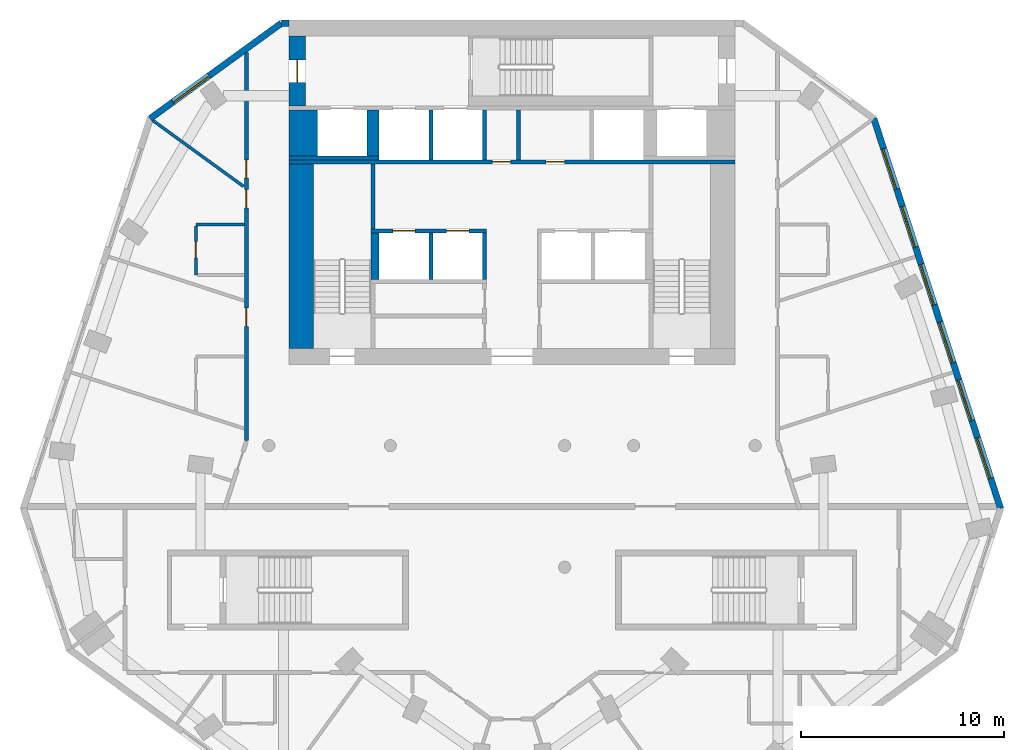
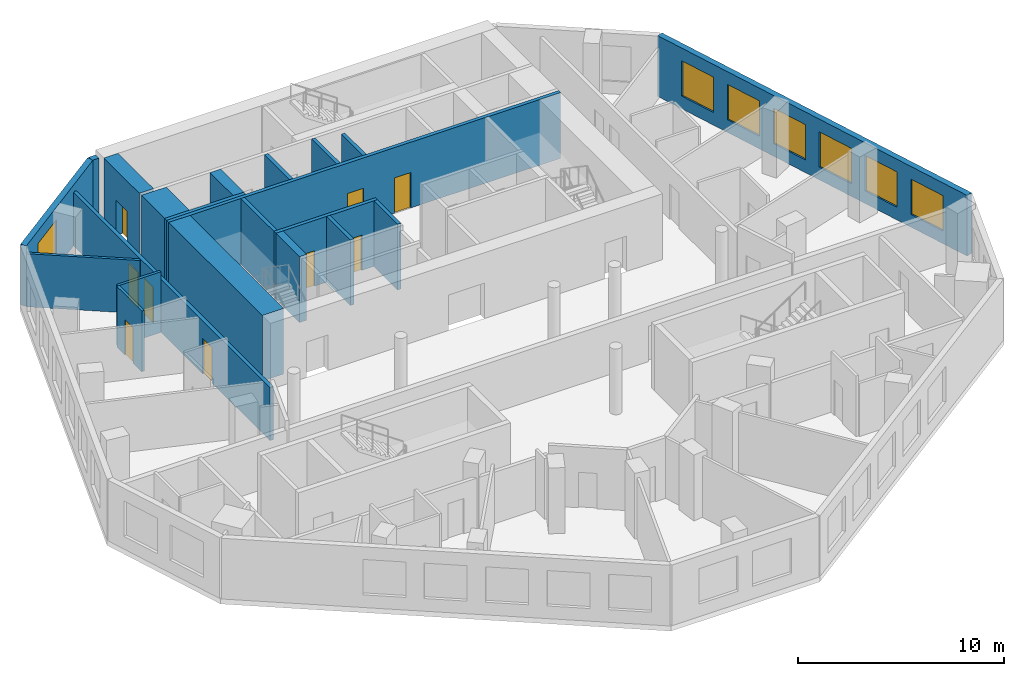
# One storey, part 5 of 9: 21 walls, 9 doors, 7 windows, 16 openings.
"""IFC4 building model written with IfcOpenShell, lengths in metres."""

from ifc_helpers import new_model, si_unit, direction, frame, frame_2d, origin, place, context, subcontext, project, spatial, rectangle, extrude, material, layer, layer_set, type_object, element, fill, save


model = new_model("IFC4")

# Units and contexts
model_context = context("Model", 3, precision=1e-05, world=origin(), true_north=direction((0.0, 1.0)))
body_context = subcontext(model_context, "Body", "Model", "MODEL_VIEW")
ifc_project = project(units=[si_unit("LENGTHUNIT", "METRE"), si_unit("AREAUNIT", "SQUARE_METRE"), si_unit("VOLUMEUNIT", "CUBIC_METRE"), si_unit("PLANEANGLEUNIT", "RADIAN"), si_unit("MASSUNIT", "GRAM", prefix="KILO")], contexts=[model_context])

# Site, building, storey
site_placement = place(None, origin())
site = spatial("IfcSite", under=ifc_project, at=site_placement, CompositionType="ELEMENT")
building_placement = place(site_placement, origin())
building = spatial("IfcBuilding", under=site, at=building_placement, Name="White Candle Pilgrim Tower", CompositionType="ELEMENT")
storey_placement = place(building_placement, frame((0.0, 0.0, 235.5)))
storey = spatial("IfcBuildingStorey", under=building, at=storey_placement, Name="L55", CompositionType="ELEMENT", Elevation=235.5)

# Walls
ifc_material_1 = material(Name="Concrete C50/60", Category="concrete")
ifc_layer_1 = layer(ifc_material_1, 1.39990234375)
ifc_layer_set_1 = layer_set([ifc_layer_1], Name="Core wall 1400 mm Concrete C50/60")
wall_type_1 = type_object("IfcWallType", Name="Core wall 1400 mm Concrete C50/60", PredefinedType="SHEAR", material=ifc_layer_set_1)
wall_1_placement = place(storey_placement, frame((59.699951171875, 81.300048828125, 0.0), z_axis=(0.0, 0.0, 1.0), x_axis=(0.0, 1.0, 0.0)))
element("IfcWall", 1, at=wall_1_placement, inside=storey, type_object=wall_type_1, Name="WL-L55-C40", PredefinedType="SHEAR", context=body_context, shape_type="SweptSolid", body=[
    extrude(rectangle(XDim=2.25, YDim=1.39990234375, at=frame_2d((1.125, 0.0))), origin(), (0.0, 0.0, 1.0), 3.89990234375),
])
ifc_layer_2 = layer(ifc_material_1, 0.199951171875)
ifc_layer_set_2 = layer_set([ifc_layer_2], Name="Core wall 200 mm Concrete C50/60")
wall_type_2 = type_object("IfcWallType", Name="Core wall 200 mm Concrete C50/60", PredefinedType="SHEAR", material=ifc_layer_set_2)
wall_2_placement = place(storey_placement, frame((59.0, 81.199951171875, 0.0), z_axis=(0.0, 0.0, 1.0), x_axis=(1.0, 0.0, 0.0)))
element("IfcWall", 2, at=wall_2_placement, inside=storey, type_object=wall_type_2, Name="WL-L55-C34", PredefinedType="SHEAR", context=body_context, shape_type="SweptSolid", body=[
    extrude(rectangle(XDim=4.449951171875, YDim=0.199951171875, at=frame_2d((2.22509765625, 0.0))), origin(), (0.0, 0.0, 1.0), 3.89990234375),
])

# Wall, opening, door
ifc_layer_3 = layer(ifc_material_1, 0.800048828125)
ifc_layer_set_3 = layer_set([ifc_layer_3], Name="Core wall 800 mm Concrete C50/60")
wall_type_3 = type_object("IfcWallType", Name="Core wall 800 mm Concrete C50/60", PredefinedType="SHEAR", material=ifc_layer_set_3)
wall_3_placement = place(storey_placement, frame((59.39990234375, 83.75, 0.0), z_axis=(0.0, 0.0, 1.0), x_axis=(0.0, 1.0, 0.0)))
wall_3 = element("IfcWall", 3, at=wall_3_placement, inside=storey, type_object=wall_type_3, Name="WL-L55-C45", PredefinedType="SHEAR", context=body_context, shape_type="SweptSolid", body=[
    extrude(rectangle(XDim=3.449951171875, YDim=0.800048828125, at=frame_2d((1.72509765625, 0.0))), origin(), (0.0, 0.0, 1.0), 3.89990234375),
])
opening_1_placement = place(wall_3_placement, frame((1.175048828125, 0.0, 0.0)))
opening_1 = element("IfcOpeningElement", 4, at=opening_1_placement, cuts=wall_3, Name="Opening T17-008", PredefinedType="OPENING", context=body_context, shape_type="SweptSolid", body=[
    extrude(rectangle(XDim=1.10009765625, YDim=2.10009765625, at=frame_2d((0.550048828125, 1.050048828125))), frame((0.0, 0.409912109375, 0.0), z_axis=(0.0, -1.0, 0.0), x_axis=(1.0, 0.0, 0.0)), (0.0, 0.0, 1.0), 0.820068359375),
])
ifc_material_2 = material(Name="Steel door leaf", Category="steel")
door_type_1 = type_object("IfcDoorType", Name="Fire door 1100 x 2100 EI 60", OperationType="NOTDEFINED", PredefinedType="DOOR", material=ifc_material_2)
door_1_placement = place(opening_1_placement, origin())
door_1 = element("IfcDoor", 5, at=door_1_placement, inside=storey, type_object=door_type_1, Name="Door T17-008", OperationType="SINGLE_SWING_RIGHT", OverallHeight=2.10009765625, OverallWidth=1.10009765625, PredefinedType="DOOR", context=body_context, shape_type="SweptSolid", body=[
    extrude(rectangle(XDim=1.10009765625, YDim=2.10009765625, at=frame_2d((0.550048828125, 1.050048828125))), frame((0.0, 0.02490234375, 0.0), z_axis=(0.0, -1.0, 0.0), x_axis=(1.0, 0.0, 0.0)), (0.0, 0.0, 1.0), 0.050048828125),
])
fill(opening_1, door_1)

# Wall, openings, doors
ifc_material_3 = material(Name="Gypsum board on steel studs", Category="steel")
ifc_layer_4 = layer(ifc_material_3, 0.199951171875)
ifc_layer_set_4 = layer_set([ifc_layer_4], Name="Corridor wall 200 mm EI 45")
wall_type_4 = type_object("IfcWallType", Name="Corridor wall 200 mm EI 45", PredefinedType="PARTITIONING", material=ifc_layer_set_4)
wall_4_placement = place(storey_placement, frame((56.89990234375, 67.241943359375, 0.0), z_axis=(0.0, 0.0, 1.0), x_axis=(0.0, 1.0, 0.0)))
wall_4 = element("IfcWall", 6, at=wall_4_placement, inside=storey, type_object=wall_type_4, Name="WL-L55-P003", PredefinedType="PARTITIONING", context=body_context, shape_type="SweptSolid", body=[
    extrude(rectangle(XDim=19.154296875, YDim=0.199951171875, at=frame_2d((9.5771484375, 0.0))), origin(), (0.0, 0.0, 1.0), 3.14990234375),
])
opening_2_placement = place(wall_4_placement, frame((5.646484375, 0.0, 0.0)))
opening_2 = element("IfcOpeningElement", 7, at=opening_2_placement, cuts=wall_4, Name="Opening T17-120", PredefinedType="OPENING", context=body_context, shape_type="SweptSolid", body=[
    extrude(rectangle(XDim=0.89990234375, YDim=2.10009765625, at=frame_2d((0.449951171875, 1.050048828125))), frame((0.0, 0.10986328125, 0.0), z_axis=(0.0, -1.0, 0.0), x_axis=(1.0, 0.0, 0.0)), (0.0, 0.0, 1.0), 0.219970703125),
])
opening_3_placement = place(wall_4_placement, frame((11.483642578125, 0.0, 0.0)))
opening_3 = element("IfcOpeningElement", 8, at=opening_3_placement, cuts=wall_4, Name="Opening T17-121", PredefinedType="OPENING", context=body_context, shape_type="SweptSolid", body=[
    extrude(rectangle(XDim=0.89990234375, YDim=2.10009765625, at=frame_2d((0.449951171875, 1.050048828125))), frame((0.0, 0.10986328125, 0.0), z_axis=(0.0, -1.0, 0.0), x_axis=(1.0, 0.0, 0.0)), (0.0, 0.0, 1.0), 0.219970703125),
])
opening_4_placement = place(wall_4_placement, frame((12.9580078125, 0.0, 0.0)))
opening_4 = element("IfcOpeningElement", 9, at=opening_4_placement, cuts=wall_4, Name="Opening T17-122", PredefinedType="OPENING", context=body_context, shape_type="SweptSolid", body=[
    extrude(rectangle(XDim=0.89990234375, YDim=2.10009765625, at=frame_2d((0.449951171875, 1.050048828125))), frame((0.0, 0.10986328125, 0.0), z_axis=(0.0, -1.0, 0.0), x_axis=(1.0, 0.0, 0.0)), (0.0, 0.0, 1.0), 0.219970703125),
])
door_type_2 = type_object("IfcDoorType", Name="Fire door 900 x 2100 EI 30", OperationType="NOTDEFINED", PredefinedType="DOOR", material=ifc_material_2)
door_2_placement = place(opening_2_placement, origin())
door_2 = element("IfcDoor", 10, at=door_2_placement, inside=storey, type_object=door_type_2, Name="Door T17-120", OperationType="SINGLE_SWING_RIGHT", OverallHeight=2.10009765625, OverallWidth=0.89990234375, PredefinedType="DOOR", context=body_context, shape_type="SweptSolid", body=[
    extrude(rectangle(XDim=0.89990234375, YDim=2.10009765625, at=frame_2d((0.449951171875, 1.050048828125))), frame((0.0, 0.02490234375, 0.0), z_axis=(0.0, -1.0, 0.0), x_axis=(1.0, 0.0, 0.0)), (0.0, 0.0, 1.0), 0.050048828125),
])
fill(opening_2, door_2)
door_3_placement = place(opening_3_placement, origin())
door_3 = element("IfcDoor", 11, at=door_3_placement, inside=storey, type_object=door_type_2, Name="Door T17-121", OperationType="SINGLE_SWING_LEFT", OverallHeight=2.10009765625, OverallWidth=0.89990234375, PredefinedType="DOOR", context=body_context, shape_type="SweptSolid", body=[
    extrude(rectangle(XDim=0.89990234375, YDim=2.10009765625, at=frame_2d((0.449951171875, 1.050048828125))), frame((0.0, 0.02490234375, 0.0), z_axis=(0.0, -1.0, 0.0), x_axis=(1.0, 0.0, 0.0)), (0.0, 0.0, 1.0), 0.050048828125),
])
fill(opening_3, door_3)
door_4_placement = place(opening_4_placement, origin())
door_4 = element("IfcDoor", 12, at=door_4_placement, inside=storey, type_object=door_type_2, Name="Door T17-122", OperationType="SINGLE_SWING_RIGHT", OverallHeight=2.10009765625, OverallWidth=0.89990234375, PredefinedType="DOOR", context=body_context, shape_type="SweptSolid", body=[
    extrude(rectangle(XDim=0.89990234375, YDim=2.10009765625, at=frame_2d((0.449951171875, 1.050048828125))), frame((0.0, 0.02490234375, 0.0), z_axis=(0.0, -1.0, 0.0), x_axis=(1.0, 0.0, 0.0)), (0.0, 0.0, 1.0), 0.050048828125),
])
fill(opening_4, door_4)

# Wall, openings, windows
ifc_material_4 = material(Name="Precast concrete C40/50", Category="concrete")
ifc_layer_5 = layer(ifc_material_4, 0.320068359375)
ifc_layer_set_5 = layer_set([ifc_layer_5], Name="Facade wall EW1 precast concrete C40/50 pier wall with timber-lined reveals")
wall_type_5 = type_object("IfcWallType", Name="Facade wall EW1 precast concrete C40/50 pier wall with timber-lined reveals", PredefinedType="SOLIDWALL", material=ifc_layer_set_5)
wall_5_placement = place(storey_placement, frame((94.1064453125, 63.900390625, 0.0), z_axis=(0.0, 0.0, 1.0), x_axis=(-0.309017027312, 0.951056505593, 0.0)))
wall_5 = element("IfcWall", 13, at=wall_5_placement, inside=storey, type_object=wall_type_5, Name="Facade wall L55 ENE", PredefinedType="SOLIDWALL", context=body_context, shape_type="SweptSolid", body=[
    extrude(rectangle(XDim=20.228515625, YDim=0.320068359375, at=frame_2d((10.1142578125, 0.0))), origin(), (0.0, 0.0, 1.0), 3.60009765625),
])
opening_5_placement = place(wall_5_placement, frame((1.564453125, 0.0, 0.75)))
opening_5 = element("IfcOpeningElement", 14, at=opening_5_placement, cuts=wall_5, Name="Opening W3", PredefinedType="OPENING", context=body_context, shape_type="SweptSolid", body=[
    extrude(rectangle(XDim=2.10009765625, YDim=2.10009765625, at=frame_2d((1.050048828125, 1.050048828125))), frame((0.0, 0.169921875, 0.0), z_axis=(0.0, -1.0, 0.0), x_axis=(1.0, 0.0, 0.0)), (0.0, 0.0, 1.0), 0.340087890625),
])
opening_6_placement = place(wall_5_placement, frame((4.564453125, 0.0, 0.75)))
opening_6 = element("IfcOpeningElement", 15, at=opening_6_placement, cuts=wall_5, Name="Opening W3", PredefinedType="OPENING", context=body_context, shape_type="SweptSolid", body=[
    extrude(rectangle(XDim=2.10009765625, YDim=2.10009765625, at=frame_2d((1.050048828125, 1.050048828125))), frame((0.0, 0.169921875, 0.0), z_axis=(0.0, -1.0, 0.0), x_axis=(1.0, 0.0, 0.0)), (0.0, 0.0, 1.0), 0.340087890625),
])
opening_7_placement = place(wall_5_placement, frame((7.564453125, 0.0, 0.75)))
opening_7 = element("IfcOpeningElement", 16, at=opening_7_placement, cuts=wall_5, Name="Opening W3", PredefinedType="OPENING", context=body_context, shape_type="SweptSolid", body=[
    extrude(rectangle(XDim=2.10009765625, YDim=2.10009765625, at=frame_2d((1.050048828125, 1.050048828125))), frame((0.0, 0.169921875, 0.0), z_axis=(0.0, -1.0, 0.0), x_axis=(1.0, 0.0, 0.0)), (0.0, 0.0, 1.0), 0.340087890625),
])
opening_8_placement = place(wall_5_placement, frame((10.564453125, 0.0, 0.75)))
opening_8 = element("IfcOpeningElement", 17, at=opening_8_placement, cuts=wall_5, Name="Opening W3", PredefinedType="OPENING", context=body_context, shape_type="SweptSolid", body=[
    extrude(rectangle(XDim=2.10009765625, YDim=2.10009765625, at=frame_2d((1.050048828125, 1.050048828125))), frame((0.0, 0.169921875, 0.0), z_axis=(0.0, -1.0, 0.0), x_axis=(1.0, 0.0, 0.0)), (0.0, 0.0, 1.0), 0.340087890625),
])
opening_9_placement = place(wall_5_placement, frame((13.564453125, 0.0, 0.75)))
opening_9 = element("IfcOpeningElement", 18, at=opening_9_placement, cuts=wall_5, Name="Opening W3", PredefinedType="OPENING", context=body_context, shape_type="SweptSolid", body=[
    extrude(rectangle(XDim=2.10009765625, YDim=2.10009765625, at=frame_2d((1.050048828125, 1.050048828125))), frame((0.0, 0.169921875, 0.0), z_axis=(0.0, -1.0, 0.0), x_axis=(1.0, 0.0, 0.0)), (0.0, 0.0, 1.0), 0.340087890625),
])
opening_10_placement = place(wall_5_placement, frame((16.564453125, 0.0, 0.75)))
opening_10 = element("IfcOpeningElement", 19, at=opening_10_placement, cuts=wall_5, Name="Opening W3", PredefinedType="OPENING", context=body_context, shape_type="SweptSolid", body=[
    extrude(rectangle(XDim=2.10009765625, YDim=2.10009765625, at=frame_2d((1.050048828125, 1.050048828125))), frame((0.0, 0.169921875, 0.0), z_axis=(0.0, -1.0, 0.0), x_axis=(1.0, 0.0, 0.0)), (0.0, 0.0, 1.0), 0.340087890625),
])
ifc_material_5 = material(Name="Timber frame with triple glazing", Category="wood")
window_type_1 = type_object("IfcWindowType", Name="Window W3 2100x2100 timber frame triple glazing", PartitioningType="SINGLE_PANEL", PredefinedType="WINDOW", material=ifc_material_5)
window_1_placement = place(opening_5_placement, origin())
window_1 = element("IfcWindow", 20, at=window_1_placement, inside=storey, type_object=window_type_1, Name="Window W3 L55 ENE 1", OverallHeight=2.10009765625, OverallWidth=2.10009765625, PartitioningType="SINGLE_PANEL", PredefinedType="WINDOW", context=body_context, shape_type="SweptSolid", body=[
    extrude(rectangle(XDim=2.10009765625, YDim=2.10009765625, at=frame_2d((1.050048828125, 1.050048828125))), frame((0.0, 0.070068359375, 0.0), z_axis=(0.0, -1.0, 0.0), x_axis=(1.0, 0.0, 0.0)), (0.0, 0.0, 1.0), 0.06005859375),
])
fill(opening_5, window_1)
window_2_placement = place(opening_6_placement, origin())
window_2 = element("IfcWindow", 21, at=window_2_placement, inside=storey, type_object=window_type_1, Name="Window W3 L55 ENE 2", OverallHeight=2.10009765625, OverallWidth=2.10009765625, PartitioningType="SINGLE_PANEL", PredefinedType="WINDOW", context=body_context, shape_type="SweptSolid", body=[
    extrude(rectangle(XDim=2.10009765625, YDim=2.10009765625, at=frame_2d((1.050048828125, 1.050048828125))), frame((0.0, 0.070068359375, 0.0), z_axis=(0.0, -1.0, 0.0), x_axis=(1.0, 0.0, 0.0)), (0.0, 0.0, 1.0), 0.06005859375),
])
fill(opening_6, window_2)
window_3_placement = place(opening_7_placement, origin())
window_3 = element("IfcWindow", 22, at=window_3_placement, inside=storey, type_object=window_type_1, Name="Window W3 L55 ENE 3", OverallHeight=2.10009765625, OverallWidth=2.10009765625, PartitioningType="SINGLE_PANEL", PredefinedType="WINDOW", context=body_context, shape_type="SweptSolid", body=[
    extrude(rectangle(XDim=2.10009765625, YDim=2.10009765625, at=frame_2d((1.050048828125, 1.050048828125))), frame((0.0, 0.070068359375, 0.0), z_axis=(0.0, -1.0, 0.0), x_axis=(1.0, 0.0, 0.0)), (0.0, 0.0, 1.0), 0.06005859375),
])
fill(opening_7, window_3)
window_4_placement = place(opening_8_placement, origin())
window_4 = element("IfcWindow", 23, at=window_4_placement, inside=storey, type_object=window_type_1, Name="Window W3 L55 ENE 4", OverallHeight=2.10009765625, OverallWidth=2.10009765625, PartitioningType="SINGLE_PANEL", PredefinedType="WINDOW", context=body_context, shape_type="SweptSolid", body=[
    extrude(rectangle(XDim=2.10009765625, YDim=2.10009765625, at=frame_2d((1.050048828125, 1.050048828125))), frame((0.0, 0.070068359375, 0.0), z_axis=(0.0, -1.0, 0.0), x_axis=(1.0, 0.0, 0.0)), (0.0, 0.0, 1.0), 0.06005859375),
])
fill(opening_8, window_4)
window_5_placement = place(opening_9_placement, origin())
window_5 = element("IfcWindow", 24, at=window_5_placement, inside=storey, type_object=window_type_1, Name="Window W3 L55 ENE 5", OverallHeight=2.10009765625, OverallWidth=2.10009765625, PartitioningType="SINGLE_PANEL", PredefinedType="WINDOW", context=body_context, shape_type="SweptSolid", body=[
    extrude(rectangle(XDim=2.10009765625, YDim=2.10009765625, at=frame_2d((1.050048828125, 1.050048828125))), frame((0.0, 0.070068359375, 0.0), z_axis=(0.0, -1.0, 0.0), x_axis=(1.0, 0.0, 0.0)), (0.0, 0.0, 1.0), 0.06005859375),
])
fill(opening_9, window_5)
window_6_placement = place(opening_10_placement, origin())
window_6 = element("IfcWindow", 25, at=window_6_placement, inside=storey, type_object=window_type_1, Name="Window W3 L55 ENE 6", OverallHeight=2.10009765625, OverallWidth=2.10009765625, PartitioningType="SINGLE_PANEL", PredefinedType="WINDOW", context=body_context, shape_type="SweptSolid", body=[
    extrude(rectangle(XDim=2.10009765625, YDim=2.10009765625, at=frame_2d((1.050048828125, 1.050048828125))), frame((0.0, 0.070068359375, 0.0), z_axis=(0.0, -1.0, 0.0), x_axis=(1.0, 0.0, 0.0)), (0.0, 0.0, 1.0), 0.06005859375),
])
fill(opening_10, window_6)

# Wall
wall_6_placement = place(storey_placement, frame((59.0, 87.840087890625, 0.0), z_axis=(0.0, 0.0, 1.0), x_axis=(-1.0, 0.0, 0.0)))
element("IfcWall", 26, at=wall_6_placement, inside=storey, type_object=wall_type_5, Name="Facade wall L55 N", PredefinedType="SOLIDWALL", context=body_context, shape_type="SweptSolid", body=[
    extrude(rectangle(XDim=0.385009765625, YDim=0.320068359375, at=frame_2d((0.1923828125, 0.0))), origin(), (0.0, 0.0, 1.0), 3.60009765625),
])

# Wall, opening, window
wall_7_placement = place(storey_placement, frame((58.614990234375, 87.840087890625, 0.0), z_axis=(0.0, 0.0, 1.0), x_axis=(-0.809010558388, -0.587794110566, 0.0)))
wall_7 = element("IfcWall", 27, at=wall_7_placement, inside=storey, type_object=wall_type_5, Name="Facade wall L55 NW chamfer", PredefinedType="SOLIDWALL", context=body_context, shape_type="SweptSolid", body=[
    extrude(rectangle(XDim=7.998046875, YDim=0.320068359375, at=frame_2d((3.9990234375, 0.0))), origin(), (0.0, 0.0, 1.0), 3.60009765625),
])
opening_11_placement = place(wall_7_placement, frame((4.39892578125, 0.0, 0.75)))
opening_11 = element("IfcOpeningElement", 28, at=opening_11_placement, cuts=wall_7, Name="Opening W4", PredefinedType="OPENING", context=body_context, shape_type="SweptSolid", body=[
    extrude(rectangle(XDim=2.199951171875, YDim=2.10009765625, at=frame_2d((1.10009765625, 1.050048828125))), frame((0.0, 0.169921875, 0.0), z_axis=(0.0, -1.0, 0.0), x_axis=(1.0, 0.0, 0.0)), (0.0, 0.0, 1.0), 0.340087890625),
])
window_type_2 = type_object("IfcWindowType", Name="Window W4 2200x2100 timber frame triple glazing", PartitioningType="SINGLE_PANEL", PredefinedType="WINDOW", material=ifc_material_5)
window_7_placement = place(opening_11_placement, origin())
window_7 = element("IfcWindow", 29, at=window_7_placement, inside=storey, type_object=window_type_2, Name="Window W4 L55 NW chamfer 2", OverallHeight=2.10009765625, OverallWidth=2.199951171875, PartitioningType="SINGLE_PANEL", PredefinedType="WINDOW", context=body_context, shape_type="SweptSolid", body=[
    extrude(rectangle(XDim=2.199951171875, YDim=2.10009765625, at=frame_2d((1.10009765625, 1.050048828125))), frame((0.0, 0.070068359375, 0.0), z_axis=(0.0, -1.0, 0.0), x_axis=(1.0, 0.0, 0.0)), (0.0, 0.0, 1.0), 0.06005859375),
])
fill(opening_11, window_7)

# Walls
ifc_layer_6 = layer(ifc_material_3, 0.199951171875)
ifc_layer_set_6 = layer_set([ifc_layer_6], Name="Lobby wall 200 mm EI 60")
wall_type_6 = type_object("IfcWallType", Name="Lobby wall 200 mm EI 60", PredefinedType="PARTITIONING", material=ifc_layer_set_6)
wall_8_placement = place(storey_placement, frame((70.320068359375, 81.10009765625, 0.0), z_axis=(0.0, 0.0, 1.0), x_axis=(0.0, 1.0, 0.0)))
element("IfcWall", 30, at=wall_8_placement, inside=storey, type_object=wall_type_6, Name="WL-L55-C37", PredefinedType="PARTITIONING", context=body_context, shape_type="SweptSolid", body=[
    extrude(rectangle(XDim=2.449951171875, YDim=0.199951171875, at=frame_2d((1.22509765625, 0.0))), origin(), (0.0, 0.0, 1.0), 3.60009765625),
])
ifc_layer_7 = layer(ifc_material_3, 0.14990234375)
ifc_layer_set_7 = layer_set([ifc_layer_7], Name="Partition 150 mm EI 60")
wall_type_7 = type_object("IfcWallType", Name="Partition 150 mm EI 60", PredefinedType="PARTITIONING", material=ifc_layer_set_7)
wall_9_placement = place(storey_placement, frame((52.28076171875, 83.0400390625, 0.0), z_axis=(0.0, 0.0, 1.0), x_axis=(0.809028003405, -0.587770099364, 0.0)))
element("IfcWall", 31, at=wall_9_placement, inside=storey, type_object=wall_type_7, Name="WL-L55-P013", PredefinedType="PARTITIONING", context=body_context, shape_type="SweptSolid", body=[
    extrude(rectangle(XDim=5.531494140625, YDim=0.14990234375, at=frame_2d((2.765625, 0.0))), origin(), (0.0, 0.0, 1.0), 3.14990234375),
])
wall_10_placement = place(storey_placement, frame((56.800048828125, 77.913330078125, 0.0), z_axis=(0.0, 0.0, 1.0), x_axis=(-1.0, 0.0, 0.0)))
element("IfcWall", 32, at=wall_10_placement, inside=storey, type_object=wall_type_7, Name="WL-L55-P021", PredefinedType="PARTITIONING", context=body_context, shape_type="SweptSolid", body=[
    extrude(rectangle(XDim=2.400146484375, YDim=0.14990234375, at=frame_2d((1.2001953125, 0.0))), origin(), (0.0, 0.0, 1.0), 3.60009765625),
])

# Wall, opening, door
wall_11_placement = place(storey_placement, frame((54.39990234375, 75.413330078125, 0.0), z_axis=(0.0, 0.0, 1.0), x_axis=(0.0, 1.0, 0.0)))
wall_11 = element("IfcWall", 33, at=wall_11_placement, inside=storey, type_object=wall_type_7, Name="WL-L55-P022", PredefinedType="PARTITIONING", context=body_context, shape_type="SweptSolid", body=[
    extrude(rectangle(XDim=2.425048828125, YDim=0.14990234375, at=frame_2d((1.21240234375, 0.0))), origin(), (0.0, 0.0, 1.0), 3.60009765625),
])
opening_12_placement = place(wall_11_placement, frame((0.85009765625, 0.0, 0.0)))
opening_12 = element("IfcOpeningElement", 34, at=opening_12_placement, cuts=wall_11, Name="Opening T17-101", PredefinedType="OPENING", context=body_context, shape_type="SweptSolid", body=[
    extrude(rectangle(XDim=0.800048828125, YDim=2.10009765625, at=frame_2d((0.39990234375, 1.050048828125))), frame((0.0, 0.0849609375, 0.0), z_axis=(0.0, -1.0, 0.0), x_axis=(1.0, 0.0, 0.0)), (0.0, 0.0, 1.0), 0.169921875),
])
door_type_3 = type_object("IfcDoorType", Name="Fire door 800 x 2100 EI 30", OperationType="NOTDEFINED", PredefinedType="DOOR", material=ifc_material_2)
door_5_placement = place(opening_12_placement, origin())
door_5 = element("IfcDoor", 35, at=door_5_placement, inside=storey, type_object=door_type_3, Name="Door T17-101", OperationType="SINGLE_SWING_LEFT", OverallHeight=2.10009765625, OverallWidth=0.800048828125, PredefinedType="DOOR", context=body_context, shape_type="SweptSolid", body=[
    extrude(rectangle(XDim=0.800048828125, YDim=2.10009765625, at=frame_2d((0.39990234375, 1.050048828125))), frame((0.0, 0.02490234375, 0.0), z_axis=(0.0, -1.0, 0.0), x_axis=(1.0, 0.0, 0.0)), (0.0, 0.0, 1.0), 0.050048828125),
])
fill(opening_12, door_5)

# Walls
ifc_layer_8 = layer(ifc_material_1, 0.199951171875)
ifc_layer_set_8 = layer_set([ifc_layer_8], Name="Shaft wall 200 mm Concrete C50/60")
wall_type_8 = type_object("IfcWallType", Name="Shaft wall 200 mm Concrete C50/60", PredefinedType="SHEAR", material=ifc_layer_set_8)
for number, where, z_axis, x_axis, name in (
    (36, (66.0, 75.199951171875, 0.0), (0.0, 0.0, 1.0), (0.0, 1.0, 0.0), "WL-L55-C24"),
    (37, (68.64990234375, 75.199951171875, 0.0), (0.0, 0.0, 1.0), (0.0, 1.0, 0.0), "WL-L55-C25"),
):
    element("IfcWall", number, at=place(storey_placement, frame(where, z_axis=z_axis, x_axis=x_axis)), inside=storey, type_object=wall_type_8, Name=name, PredefinedType="SHEAR", context=body_context, shape_type="SweptSolid", body=[
        extrude(rectangle(XDim=2.300048828125, YDim=0.199951171875, at=frame_2d((1.14990234375, 0.0))), origin(), (0.0, 0.0, 1.0), 3.89990234375),
    ])
for number, where, z_axis, x_axis, name in (
    (38, (66.0, 81.10009765625, 0.0), (0.0, 0.0, 1.0), (0.0, 1.0, 0.0), "WL-L55-C35"),
    (39, (68.64990234375, 81.10009765625, 0.0), (0.0, 0.0, 1.0), (0.0, 1.0, 0.0), "WL-L55-C36"),
):
    element("IfcWall", number, at=place(storey_placement, frame(where, z_axis=z_axis, x_axis=x_axis)), inside=storey, type_object=wall_type_8, Name=name, PredefinedType="SHEAR", context=body_context, shape_type="SweptSolid", body=[
        extrude(rectangle(XDim=2.449951171875, YDim=0.199951171875, at=frame_2d((1.22509765625, 0.0))), origin(), (0.0, 0.0, 1.0), 3.89990234375),
    ])
ifc_layer_9 = layer(ifc_material_1, 0.60009765625)
ifc_layer_set_9 = layer_set([ifc_layer_9], Name="Shaft wall 600 mm Concrete C50/60")
wall_type_9 = type_object("IfcWallType", Name="Shaft wall 600 mm Concrete C50/60", PredefinedType="SHEAR", material=ifc_layer_set_9)
wall_12_placement = place(storey_placement, frame((63.14990234375, 81.300048828125, 0.0), z_axis=(0.0, 0.0, 1.0), x_axis=(0.0, 1.0, 0.0)))
element("IfcWall", 40, at=wall_12_placement, inside=storey, type_object=wall_type_9, Name="WL-L55-C41", PredefinedType="SHEAR", context=body_context, shape_type="SweptSolid", body=[
    extrude(rectangle(XDim=2.25, YDim=0.60009765625, at=frame_2d((1.125, 0.0))), origin(), (0.0, 0.0, 1.0), 3.89990234375),
])
ifc_layer_10 = layer(ifc_material_1, 1.199951171875)
ifc_layer_set_10 = layer_set([ifc_layer_10], Name="Stair shaft wall 1200 mm Concrete C50/60")
wall_type_10 = type_object("IfcWallType", Name="Stair shaft wall 1200 mm Concrete C50/60", PredefinedType="SHEAR", material=ifc_layer_set_10)
wall_13_placement = place(storey_placement, frame((59.60009765625, 71.800048828125, 0.0), z_axis=(0.0, 0.0, 1.0), x_axis=(0.0, 1.0, 0.0)))
element("IfcWall", 41, at=wall_13_placement, inside=storey, type_object=wall_type_10, Name="WL-L55-C12", PredefinedType="SHEAR", context=body_context, shape_type="SweptSolid", body=[
    extrude(rectangle(XDim=9.099853515625, YDim=1.199951171875, at=frame_2d((4.5498046875, 0.0))), origin(), (0.0, 0.0, 1.0), 3.89990234375),
])

# Wall, openings, doors
ifc_layer_11 = layer(ifc_material_1, 0.199951171875)
ifc_layer_set_11 = layer_set([ifc_layer_11], Name="Stair shaft wall 200 mm Concrete C50/60")
wall_type_11 = type_object("IfcWallType", Name="Stair shaft wall 200 mm Concrete C50/60", PredefinedType="SHEAR", material=ifc_layer_set_11)
wall_14_placement = place(storey_placement, frame((63.050048828125, 77.60009765625, 0.0), z_axis=(0.0, 0.0, 1.0), x_axis=(1.0, 0.0, 0.0)))
wall_14 = element("IfcWall", 42, at=wall_14_placement, inside=storey, type_object=wall_type_11, Name="WL-L55-C29", PredefinedType="SHEAR", context=body_context, shape_type="SweptSolid", body=[
    extrude(rectangle(XDim=5.699951171875, YDim=0.199951171875, at=frame_2d((2.85009765625, 0.0))), origin(), (0.0, 0.0, 1.0), 3.89990234375),
])
opening_13_placement = place(wall_14_placement, frame((1.074951171875, 0.0, 0.0)))
opening_13 = element("IfcOpeningElement", 43, at=opening_13_placement, cuts=wall_14, Name="Opening T17-014", PredefinedType="OPENING", context=body_context, shape_type="SweptSolid", body=[
    extrude(rectangle(XDim=1.10009765625, YDim=2.10009765625, at=frame_2d((0.550048828125, 1.050048828125))), frame((0.0, 0.10986328125, 0.0), z_axis=(0.0, -1.0, 0.0), x_axis=(1.0, 0.0, 0.0)), (0.0, 0.0, 1.0), 0.219970703125),
])
opening_14_placement = place(wall_14_placement, frame((3.72509765625, 0.0, 0.0)))
opening_14 = element("IfcOpeningElement", 44, at=opening_14_placement, cuts=wall_14, Name="Opening T17-015", PredefinedType="OPENING", context=body_context, shape_type="SweptSolid", body=[
    extrude(rectangle(XDim=1.10009765625, YDim=2.10009765625, at=frame_2d((0.550048828125, 1.050048828125))), frame((0.0, 0.10986328125, 0.0), z_axis=(0.0, -1.0, 0.0), x_axis=(1.0, 0.0, 0.0)), (0.0, 0.0, 1.0), 0.219970703125),
])
ifc_material_6 = material(Name="Stainless steel", Category="steel")
door_type_4 = type_object("IfcDoorType", Name="Lift landing door 1100 x 2100 E 60", OperationType="DOUBLE_DOOR_SLIDING", PredefinedType="DOOR", material=ifc_material_6)
door_6_placement = place(opening_13_placement, origin())
door_6 = element("IfcDoor", 45, at=door_6_placement, inside=storey, type_object=door_type_4, Name="Door T17-014", OperationType="DOUBLE_DOOR_SLIDING", OverallHeight=2.10009765625, OverallWidth=1.10009765625, PredefinedType="DOOR", context=body_context, shape_type="SweptSolid", body=[
    extrude(rectangle(XDim=1.10009765625, YDim=2.10009765625, at=frame_2d((0.550048828125, 1.050048828125))), frame((0.0, 0.02490234375, 0.0), z_axis=(0.0, -1.0, 0.0), x_axis=(1.0, 0.0, 0.0)), (0.0, 0.0, 1.0), 0.050048828125),
])
fill(opening_13, door_6)
door_7_placement = place(opening_14_placement, origin())
door_7 = element("IfcDoor", 46, at=door_7_placement, inside=storey, type_object=door_type_4, Name="Door T17-015", OperationType="DOUBLE_DOOR_SLIDING", OverallHeight=2.10009765625, OverallWidth=1.10009765625, PredefinedType="DOOR", context=body_context, shape_type="SweptSolid", body=[
    extrude(rectangle(XDim=1.10009765625, YDim=2.10009765625, at=frame_2d((0.550048828125, 1.050048828125))), frame((0.0, 0.02490234375, 0.0), z_axis=(0.0, -1.0, 0.0), x_axis=(1.0, 0.0, 0.0)), (0.0, 0.0, 1.0), 0.050048828125),
])
fill(opening_14, door_7)

# Wall
wall_15_placement = place(storey_placement, frame((63.14990234375, 77.699951171875, 0.0), z_axis=(0.0, 0.0, 1.0), x_axis=(0.0, 1.0, 0.0)))
element("IfcWall", 47, at=wall_15_placement, inside=storey, type_object=wall_type_11, Name="WL-L55-C31", PredefinedType="SHEAR", context=body_context, shape_type="SweptSolid", body=[
    extrude(rectangle(XDim=3.199951171875, YDim=0.199951171875, at=frame_2d((1.60009765625, 0.0))), origin(), (0.0, 0.0, 1.0), 3.89990234375),
])

# Wall, openings, doors
wall_16_placement = place(storey_placement, frame((59.0, 81.0, 0.0), z_axis=(0.0, 0.0, 1.0), x_axis=(1.0, 0.0, 0.0)))
wall_16 = element("IfcWall", 48, at=wall_16_placement, inside=storey, type_object=wall_type_11, Name="WL-L55-C33", PredefinedType="SHEAR", context=body_context, shape_type="SweptSolid", body=[
    extrude(rectangle(XDim=22.0, YDim=0.199951171875, at=frame_2d((11.0, 0.0))), origin(), (0.0, 0.0, 1.0), 3.89990234375),
])
opening_15_placement = place(wall_16_placement, frame((10.034912109375, 0.0, 0.0)))
opening_15 = element("IfcOpeningElement", 49, at=opening_15_placement, cuts=wall_16, Name="Opening T17-022", PredefinedType="OPENING", context=body_context, shape_type="SweptSolid", body=[
    extrude(rectangle(XDim=0.89990234375, YDim=2.10009765625, at=frame_2d((0.449951171875, 1.050048828125))), frame((0.0, 0.10986328125, 0.0), z_axis=(0.0, -1.0, 0.0), x_axis=(1.0, 0.0, 0.0)), (0.0, 0.0, 1.0), 0.219970703125),
])
opening_16_placement = place(wall_16_placement, frame((12.68505859375, 0.0, 0.0)))
opening_16 = element("IfcOpeningElement", 50, at=opening_16_placement, cuts=wall_16, Name="Opening T17-023", PredefinedType="OPENING", context=body_context, shape_type="SweptSolid", body=[
    extrude(rectangle(XDim=0.89990234375, YDim=2.10009765625, at=frame_2d((0.449951171875, 1.050048828125))), frame((0.0, 0.10986328125, 0.0), z_axis=(0.0, -1.0, 0.0), x_axis=(1.0, 0.0, 0.0)), (0.0, 0.0, 1.0), 0.219970703125),
])
door_8_placement = place(opening_15_placement, origin())
door_8 = element("IfcDoor", 51, at=door_8_placement, inside=storey, type_object=door_type_2, Name="Door T17-022", OperationType="SINGLE_SWING_RIGHT", OverallHeight=2.10009765625, OverallWidth=0.89990234375, PredefinedType="DOOR", context=body_context, shape_type="SweptSolid", body=[
    extrude(rectangle(XDim=0.89990234375, YDim=2.10009765625, at=frame_2d((0.449951171875, 1.050048828125))), frame((0.0, 0.02490234375, 0.0), z_axis=(0.0, -1.0, 0.0), x_axis=(1.0, 0.0, 0.0)), (0.0, 0.0, 1.0), 0.050048828125),
])
fill(opening_15, door_8)
door_9_placement = place(opening_16_placement, origin())
door_9 = element("IfcDoor", 52, at=door_9_placement, inside=storey, type_object=door_type_2, Name="Door T17-023", OperationType="SINGLE_SWING_LEFT", OverallHeight=2.10009765625, OverallWidth=0.89990234375, PredefinedType="DOOR", context=body_context, shape_type="SweptSolid", body=[
    extrude(rectangle(XDim=0.89990234375, YDim=2.10009765625, at=frame_2d((0.449951171875, 1.050048828125))), frame((0.0, 0.02490234375, 0.0), z_axis=(0.0, -1.0, 0.0), x_axis=(1.0, 0.0, 0.0)), (0.0, 0.0, 1.0), 0.050048828125),
])
fill(opening_16, door_9)

# Wall
ifc_layer_12 = layer(ifc_material_1, 0.39990234375)
ifc_layer_set_12 = layer_set([ifc_layer_12], Name="Stair shaft wall 400 mm Concrete C50/60")
wall_type_12 = type_object("IfcWallType", Name="Stair shaft wall 400 mm Concrete C50/60", PredefinedType="SHEAR", material=ifc_layer_set_12)
wall_17_placement = place(storey_placement, frame((63.25, 75.199951171875, 0.0), z_axis=(0.0, 0.0, 1.0), x_axis=(0.0, 1.0, 0.0)))
element("IfcWall", 53, at=wall_17_placement, inside=storey, type_object=wall_type_12, Name="WL-L55-C23", PredefinedType="SHEAR", context=body_context, shape_type="SweptSolid", body=[
    extrude(rectangle(XDim=2.300048828125, YDim=0.39990234375, at=frame_2d((1.14990234375, 0.0))), origin(), (0.0, 0.0, 1.0), 3.89990234375),
])

save(model, "model.ifc")
